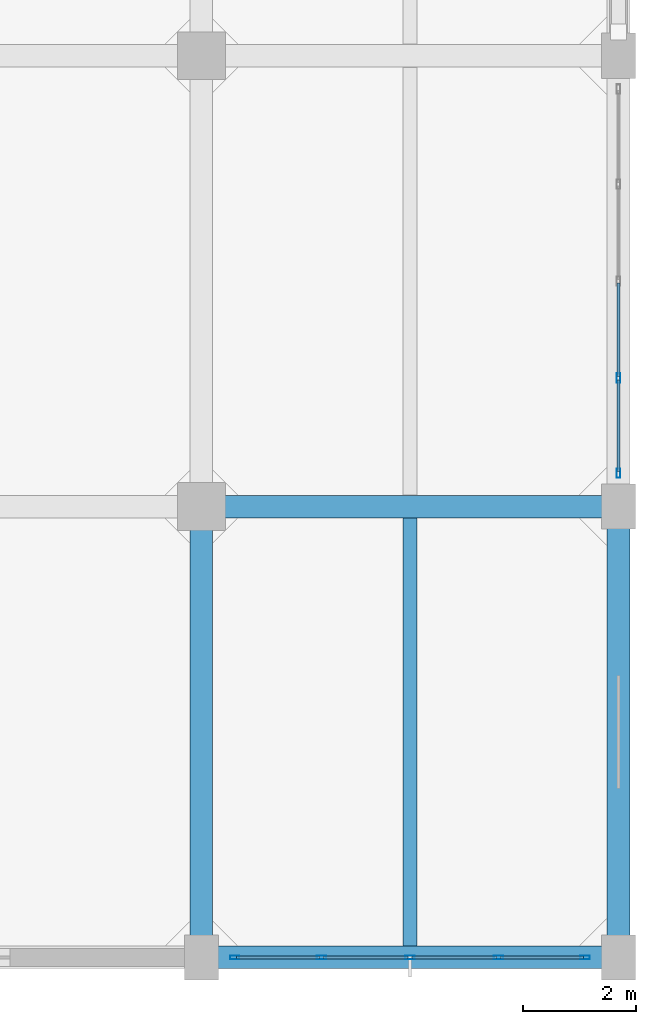
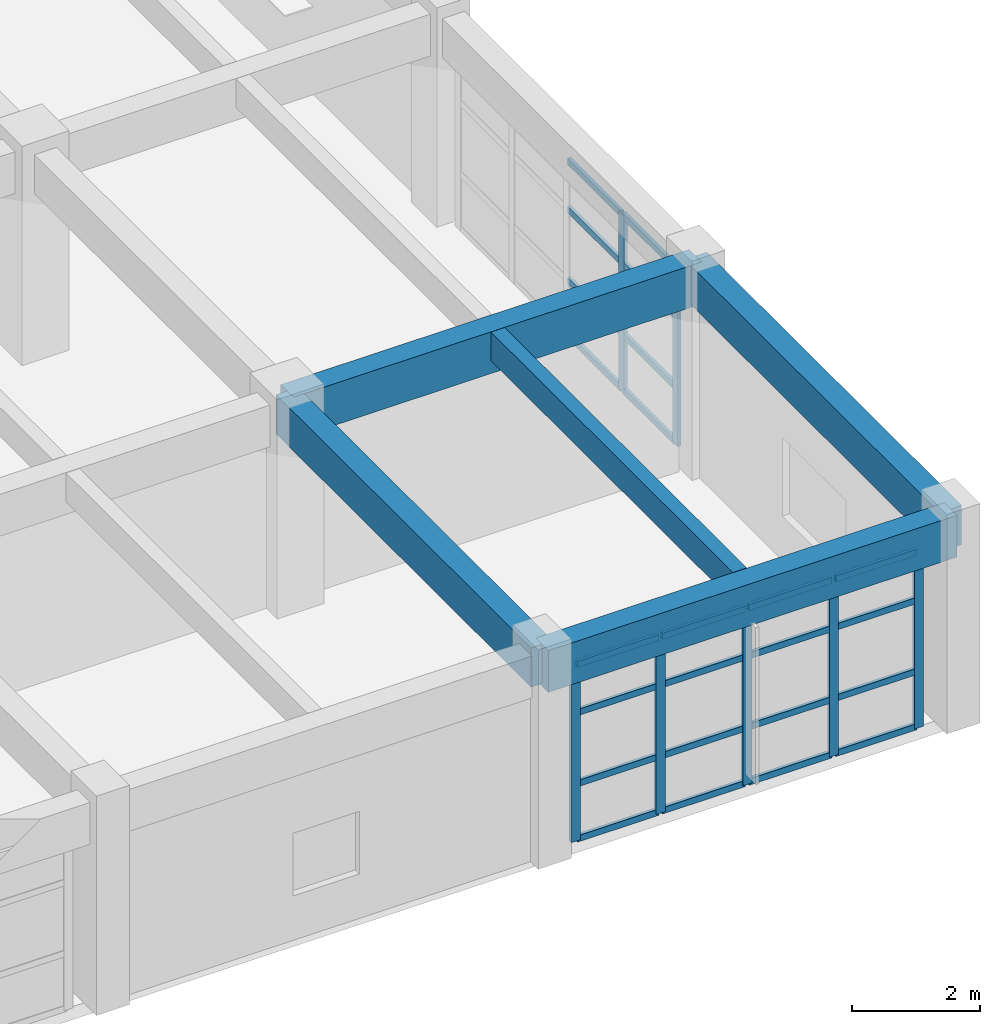
# One storey, part 10 of 30: 31 members, 5 beams, 2 elements without a shape of their own.
"""IFC4 building model written with IfcOpenShell, lengths in metres."""

from ifc_helpers import new_model, si_unit, direction, frame, origin, origin_2d, place, context, subcontext, project, spatial, rectangle, hollow_rectangle, extrude, material, layer, layer_set, material_profile, profile_set, type_object, element, aggregate, save


model = new_model("IFC4")

# Units and contexts
model_context = context("Model", 3, precision=1e-05, world=origin(), true_north=direction((0.0, 1.0)))
body_context = subcontext(model_context, "Body", "Model", "MODEL_VIEW")
ifc_project = project(units=[si_unit("LENGTHUNIT", "METRE"), si_unit("AREAUNIT", "SQUARE_METRE"), si_unit("VOLUMEUNIT", "CUBIC_METRE"), si_unit("PLANEANGLEUNIT", "RADIAN"), si_unit("MASSUNIT", "GRAM", prefix="KILO")], contexts=[model_context])

# Site, building, storey
site_placement = place(None, origin())
site = spatial("IfcSite", under=ifc_project, at=site_placement, CompositionType="ELEMENT")
building_placement = place(site_placement, origin())
building = spatial("IfcBuilding", under=site, at=building_placement, Name="Canggui Botanical Conservatory", CompositionType="ELEMENT")
storey_placement = place(building_placement, frame((0.0, 0.0, 19.199951171875)))
storey = spatial("IfcBuildingStorey", under=building, at=storey_placement, Name="L05", CompositionType="ELEMENT", Elevation=19.199951171875)

# Beams
ifc_material_1 = material(Name="Concrete C35", Category="concrete")
ifc_material_profile_1 = material_profile(ifc_material_1, rectangle(XDim=0.25, YDim=0.550048828125, at=origin_2d()), Name="RB 250x550")
ifc_profile_set_1 = profile_set([ifc_material_profile_1], Name="Concrete C35")
beam_type_1 = type_object("IfcBeamType", Name="BM-JST03", PredefinedType="JOIST", material=ifc_profile_set_1)
beam_placement = place(storey_placement, frame((173.699951171875, 26.205078125, 3.68505859375), z_axis=(0.0, 1.0, 0.0), x_axis=(-1.0, 0.0, 0.0)))
element("IfcBeam", 1, at=beam_placement, inside=storey, type_object=beam_type_1, Name="Secondary Floor Joist L05-5-1", PredefinedType="JOIST", context=body_context, shape_type="SweptSolid", body=[
    extrude(rectangle(XDim=0.25, YDim=0.550048828125, at=origin_2d()), origin(), (0.0, 0.0, 1.0), 7.58984375),
])
ifc_material_profile_2 = material_profile(ifc_material_1, rectangle(XDim=0.39990234375, YDim=0.800048828125, at=origin_2d()), Name="RB 400x800")
ifc_profile_set_2 = profile_set([ifc_material_profile_2], Name="Concrete C35")
beam_type_2 = type_object("IfcBeamType", Name="BM-KL09", PredefinedType="BEAM", material=ifc_profile_set_2)
for number, where, z_axis, x_axis, name in (
    (2, (170.0, 26.0, 3.56005859375), (1.0, 0.0, 0.0), (0.0, 1.0, 0.0), "Frame Girder L05 Y26-5"),
    (3, (170.0, 34.0, 3.56005859375), (1.0, 0.0, 0.0), (0.0, 1.0, 0.0), "Frame Girder L05 Y34-5"),
):
    element("IfcBeam", number, at=place(storey_placement, frame(where, z_axis=z_axis, x_axis=x_axis)), inside=storey, type_object=beam_type_2, Name=name, PredefinedType="BEAM", context=body_context, shape_type="SweptSolid", body=[
        extrude(rectangle(XDim=0.39990234375, YDim=0.800048828125, at=origin_2d()), origin(), (0.0, 0.0, 1.0), 7.39990234375),
    ])
ifc_material_profile_3 = material_profile(ifc_material_1, rectangle(XDim=0.39990234375, YDim=0.75, at=origin_2d()), Name="RB 400x750")
ifc_profile_set_3 = profile_set([ifc_material_profile_3], Name="Concrete C35")
beam_type_3 = type_object("IfcBeamType", Name="BM-KL10", PredefinedType="BEAM", material=ifc_profile_set_3)
for number, where, z_axis, x_axis, name in (
    (4, (170.0, 26.0, 3.5849609375), (0.0, 1.0, 0.0), (-1.0, 0.0, 0.0), "Frame Girder L05 X170-1"),
    (5, (177.39990234375, 26.0, 3.5849609375), (0.0, 1.0, 0.0), (-1.0, 0.0, 0.0), "Frame Girder L05 X178-1"),
):
    element("IfcBeam", number, at=place(storey_placement, frame(where, z_axis=z_axis, x_axis=x_axis)), inside=storey, type_object=beam_type_3, Name=name, PredefinedType="BEAM", context=body_context, shape_type="SweptSolid", body=[
        extrude(rectangle(XDim=0.39990234375, YDim=0.75, at=origin_2d()), origin(), (0.0, 0.0, 1.0), 8.0),
    ])

# Curtain wall, members
ifc_material_2 = material(Name="Thermally Broken Aluminium", Category="aluminium")
ifc_layer = layer(ifc_material_2, 0.1650390625, Name="Thermally Broken Aluminium", Category="aluminium")
ifc_layer_set = layer_set([ifc_layer], Name="Thermally Broken Aluminium")
curtain_wall_type = type_object("IfcCurtainWallType", Name="CW-UNIT-B", PredefinedType="USERDEFINED", material=ifc_layer_set)
curtain_wall_1_placement = place(storey_placement, origin())
curtain_wall_1 = element("IfcCurtainWall", 6, at=curtain_wall_1_placement, inside=storey, type_object=curtain_wall_type, Name="Facade Curtain Wall CW-TWR-L05-01", ObjectType="UNITISED CURTAIN WALL", PredefinedType="USERDEFINED")
ifc_material_profile_4 = material_profile(ifc_material_2, hollow_rectangle(XDim=0.06494140625, YDim=0.1650390625, WallThickness=0.00390625, at=origin_2d()), Name="CWM 65x165x4")
ifc_profile_set_4 = profile_set([ifc_material_profile_4], Name="Thermally Broken Aluminium")
member_type_1 = type_object("IfcMemberType", Name="CWM-02", PredefinedType="MULLION", material=ifc_profile_set_4)
member_1_placement = place(storey_placement, frame((176.8076171875, 26.0, 0.0), z_axis=(0.0, 0.0, 1.0), x_axis=(0.0, -1.0, 0.0)))
member_1 = element("IfcMember", 7, at=member_1_placement, type_object=member_type_1, Name="CW-02 mullion 1", PredefinedType="MULLION", context=body_context, shape_type="SweptSolid", body=[
    extrude(hollow_rectangle(XDim=0.06494140625, YDim=0.1650390625, WallThickness=0.00390625, at=origin_2d()), origin(), (0.0, 0.0, 1.0), 3.400146484375),
])
member_2_placement = place(storey_placement, frame((175.27001953125, 26.0, 0.0), z_axis=(0.0, 0.0, 1.0), x_axis=(0.0, -1.0, 0.0)))
member_2 = element("IfcMember", 8, at=member_2_placement, type_object=member_type_1, Name="CW-02 mullion 2", PredefinedType="MULLION", context=body_context, shape_type="SweptSolid", body=[
    extrude(hollow_rectangle(XDim=0.06494140625, YDim=0.1650390625, WallThickness=0.00390625, at=origin_2d()), origin(), (0.0, 0.0, 1.0), 3.400146484375),
])
member_3_placement = place(storey_placement, frame((173.699951171875, 26.0, 0.0), z_axis=(0.0, 0.0, 1.0), x_axis=(0.0, -1.0, 0.0)))
member_3 = element("IfcMember", 9, at=member_3_placement, type_object=member_type_1, Name="CW-02 mullion 3", PredefinedType="MULLION", context=body_context, shape_type="SweptSolid", body=[
    extrude(hollow_rectangle(XDim=0.06494140625, YDim=0.1650390625, WallThickness=0.00390625, at=origin_2d()), origin(), (0.0, 0.0, 1.0), 3.400146484375),
])
member_4_placement = place(storey_placement, frame((172.1298828125, 26.0, 0.0), z_axis=(0.0, 0.0, 1.0), x_axis=(0.0, -1.0, 0.0)))
member_4 = element("IfcMember", 10, at=member_4_placement, type_object=member_type_1, Name="CW-02 mullion 4", PredefinedType="MULLION", context=body_context, shape_type="SweptSolid", body=[
    extrude(hollow_rectangle(XDim=0.06494140625, YDim=0.1650390625, WallThickness=0.00390625, at=origin_2d()), origin(), (0.0, 0.0, 1.0), 3.400146484375),
])
member_5_placement = place(storey_placement, frame((170.592529296875, 26.0, 0.0), z_axis=(0.0, 0.0, 1.0), x_axis=(0.0, -1.0, 0.0)))
member_5 = element("IfcMember", 11, at=member_5_placement, type_object=member_type_1, Name="CW-02 mullion 5", PredefinedType="MULLION", context=body_context, shape_type="SweptSolid", body=[
    extrude(hollow_rectangle(XDim=0.06494140625, YDim=0.1650390625, WallThickness=0.00390625, at=origin_2d()), origin(), (0.0, 0.0, 1.0), 3.400146484375),
])

curtain_wall_2_placement = place(storey_placement, origin())
curtain_wall_2 = element("IfcCurtainWall", 12, at=curtain_wall_2_placement, inside=storey, type_object=curtain_wall_type, Name="Facade Curtain Wall CW-TWR-L05-21", ObjectType="UNITISED CURTAIN WALL", PredefinedType="USERDEFINED")
member_6_placement = place(storey_placement, frame((177.39990234375, 36.280029296875, 0.0), z_axis=(0.0, 0.0, 1.0), x_axis=(1.0, 0.0, 0.0)))
member_6 = element("IfcMember", 13, at=member_6_placement, type_object=member_type_1, Name="CW-02 mullion 4", PredefinedType="MULLION", context=body_context, shape_type="SweptSolid", body=[
    extrude(hollow_rectangle(XDim=0.06494140625, YDim=0.1650390625, WallThickness=0.00390625, at=origin_2d()), origin(), (0.0, 0.0, 1.0), 3.400146484375),
])
member_7_placement = place(storey_placement, frame((177.39990234375, 34.592529296875, 0.0), z_axis=(0.0, 0.0, 1.0), x_axis=(1.0, 0.0, 0.0)))
member_7 = element("IfcMember", 14, at=member_7_placement, type_object=member_type_1, Name="CW-02 mullion 5", PredefinedType="MULLION", context=body_context, shape_type="SweptSolid", body=[
    extrude(hollow_rectangle(XDim=0.06494140625, YDim=0.1650390625, WallThickness=0.00390625, at=origin_2d()), origin(), (0.0, 0.0, 1.0), 3.400146484375),
])

# Member
ifc_material_profile_5 = material_profile(ifc_material_2, hollow_rectangle(XDim=0.06005859375, YDim=0.1201171875, WallThickness=0.00341796875, at=origin_2d()), Name="CWT 60x120x3.5")
ifc_profile_set_5 = profile_set([ifc_material_profile_5], Name="Thermally Broken Aluminium")
member_type_2 = type_object("IfcMemberType", Name="CWT-02", PredefinedType="USERDEFINED", material=ifc_profile_set_5)
member_8_placement = place(storey_placement, frame((176.77490234375, 26.0, 0.030029296875), z_axis=(-1.0, 0.0, 0.0), x_axis=(0.0, -1.0, 0.0)))
member_8 = element("IfcMember", 15, at=member_8_placement, type_object=member_type_2, Name="CW-02 transom 1.1", ObjectType="TRANSOM", PredefinedType="USERDEFINED", context=body_context, shape_type="SweptSolid", body=[
    extrude(hollow_rectangle(XDim=0.06005859375, YDim=0.1201171875, WallThickness=0.00341796875, at=origin_2d()), origin(), (0.0, 0.0, 1.0), 1.472412109375),
])

member_9_placement = place(storey_placement, frame((176.77490234375, 26.0, 1.088134765625), z_axis=(-1.0, 0.0, 0.0), x_axis=(0.0, -1.0, 0.0)))
member_9 = element("IfcMember", 16, at=member_9_placement, type_object=member_type_2, Name="CW-02 transom 1.2", ObjectType="TRANSOM", PredefinedType="USERDEFINED", context=body_context, shape_type="SweptSolid", body=[
    extrude(hollow_rectangle(XDim=0.06005859375, YDim=0.1201171875, WallThickness=0.00341796875, at=origin_2d()), origin(), (0.0, 0.0, 1.0), 1.472412109375),
])

member_10_placement = place(storey_placement, frame((176.77490234375, 26.0, 2.447998046875), z_axis=(-1.0, 0.0, 0.0), x_axis=(0.0, -1.0, 0.0)))
member_10 = element("IfcMember", 17, at=member_10_placement, type_object=member_type_2, Name="CW-02 transom 1.3", ObjectType="TRANSOM", PredefinedType="USERDEFINED", context=body_context, shape_type="SweptSolid", body=[
    extrude(hollow_rectangle(XDim=0.06005859375, YDim=0.1201171875, WallThickness=0.00341796875, at=origin_2d()), origin(), (0.0, 0.0, 1.0), 1.472412109375),
])

member_11_placement = place(storey_placement, frame((176.77490234375, 26.0, 3.3701171875), z_axis=(-1.0, 0.0, 0.0), x_axis=(0.0, -1.0, 0.0)))
member_11 = element("IfcMember", 18, at=member_11_placement, type_object=member_type_2, Name="CW-02 transom 1.4", ObjectType="TRANSOM", PredefinedType="USERDEFINED", context=body_context, shape_type="SweptSolid", body=[
    extrude(hollow_rectangle(XDim=0.06005859375, YDim=0.1201171875, WallThickness=0.00341796875, at=origin_2d()), origin(), (0.0, 0.0, 1.0), 1.472412109375),
])

member_12_placement = place(storey_placement, frame((175.237548828125, 26.0, 0.030029296875), z_axis=(-1.0, 0.0, 0.0), x_axis=(0.0, -1.0, 0.0)))
member_12 = element("IfcMember", 19, at=member_12_placement, type_object=member_type_2, Name="CW-02 transom 2.1", ObjectType="TRANSOM", PredefinedType="USERDEFINED", context=body_context, shape_type="SweptSolid", body=[
    extrude(hollow_rectangle(XDim=0.06005859375, YDim=0.1201171875, WallThickness=0.00341796875, at=origin_2d()), origin(), (0.0, 0.0, 1.0), 1.505126953125),
])

member_13_placement = place(storey_placement, frame((175.237548828125, 26.0, 1.088134765625), z_axis=(-1.0, 0.0, 0.0), x_axis=(0.0, -1.0, 0.0)))
member_13 = element("IfcMember", 20, at=member_13_placement, type_object=member_type_2, Name="CW-02 transom 2.2", ObjectType="TRANSOM", PredefinedType="USERDEFINED", context=body_context, shape_type="SweptSolid", body=[
    extrude(hollow_rectangle(XDim=0.06005859375, YDim=0.1201171875, WallThickness=0.00341796875, at=origin_2d()), origin(), (0.0, 0.0, 1.0), 1.505126953125),
])

member_14_placement = place(storey_placement, frame((175.237548828125, 26.0, 2.447998046875), z_axis=(-1.0, 0.0, 0.0), x_axis=(0.0, -1.0, 0.0)))
member_14 = element("IfcMember", 21, at=member_14_placement, type_object=member_type_2, Name="CW-02 transom 2.3", ObjectType="TRANSOM", PredefinedType="USERDEFINED", context=body_context, shape_type="SweptSolid", body=[
    extrude(hollow_rectangle(XDim=0.06005859375, YDim=0.1201171875, WallThickness=0.00341796875, at=origin_2d()), origin(), (0.0, 0.0, 1.0), 1.505126953125),
])

member_15_placement = place(storey_placement, frame((175.237548828125, 26.0, 3.3701171875), z_axis=(-1.0, 0.0, 0.0), x_axis=(0.0, -1.0, 0.0)))
member_15 = element("IfcMember", 22, at=member_15_placement, type_object=member_type_2, Name="CW-02 transom 2.4", ObjectType="TRANSOM", PredefinedType="USERDEFINED", context=body_context, shape_type="SweptSolid", body=[
    extrude(hollow_rectangle(XDim=0.06005859375, YDim=0.1201171875, WallThickness=0.00341796875, at=origin_2d()), origin(), (0.0, 0.0, 1.0), 1.505126953125),
])

member_16_placement = place(storey_placement, frame((173.66748046875, 26.0, 0.030029296875), z_axis=(-1.0, 0.0, 0.0), x_axis=(0.0, -1.0, 0.0)))
member_16 = element("IfcMember", 23, at=member_16_placement, type_object=member_type_2, Name="CW-02 transom 3.1", ObjectType="TRANSOM", PredefinedType="USERDEFINED", context=body_context, shape_type="SweptSolid", body=[
    extrude(hollow_rectangle(XDim=0.06005859375, YDim=0.1201171875, WallThickness=0.00341796875, at=origin_2d()), origin(), (0.0, 0.0, 1.0), 1.5048828125),
])

member_17_placement = place(storey_placement, frame((173.66748046875, 26.0, 1.088134765625), z_axis=(-1.0, 0.0, 0.0), x_axis=(0.0, -1.0, 0.0)))
member_17 = element("IfcMember", 24, at=member_17_placement, type_object=member_type_2, Name="CW-02 transom 3.2", ObjectType="TRANSOM", PredefinedType="USERDEFINED", context=body_context, shape_type="SweptSolid", body=[
    extrude(hollow_rectangle(XDim=0.06005859375, YDim=0.1201171875, WallThickness=0.00341796875, at=origin_2d()), origin(), (0.0, 0.0, 1.0), 1.5048828125),
])

member_18_placement = place(storey_placement, frame((173.66748046875, 26.0, 2.447998046875), z_axis=(-1.0, 0.0, 0.0), x_axis=(0.0, -1.0, 0.0)))
member_18 = element("IfcMember", 25, at=member_18_placement, type_object=member_type_2, Name="CW-02 transom 3.3", ObjectType="TRANSOM", PredefinedType="USERDEFINED", context=body_context, shape_type="SweptSolid", body=[
    extrude(hollow_rectangle(XDim=0.06005859375, YDim=0.1201171875, WallThickness=0.00341796875, at=origin_2d()), origin(), (0.0, 0.0, 1.0), 1.5048828125),
])

member_19_placement = place(storey_placement, frame((173.66748046875, 26.0, 3.3701171875), z_axis=(-1.0, 0.0, 0.0), x_axis=(0.0, -1.0, 0.0)))
member_19 = element("IfcMember", 26, at=member_19_placement, type_object=member_type_2, Name="CW-02 transom 3.4", ObjectType="TRANSOM", PredefinedType="USERDEFINED", context=body_context, shape_type="SweptSolid", body=[
    extrude(hollow_rectangle(XDim=0.06005859375, YDim=0.1201171875, WallThickness=0.00341796875, at=origin_2d()), origin(), (0.0, 0.0, 1.0), 1.5048828125),
])

member_20_placement = place(storey_placement, frame((172.097412109375, 26.0, 0.030029296875), z_axis=(-1.0, 0.0, 0.0), x_axis=(0.0, -1.0, 0.0)))
member_20 = element("IfcMember", 27, at=member_20_placement, type_object=member_type_2, Name="CW-02 transom 4.1", ObjectType="TRANSOM", PredefinedType="USERDEFINED", context=body_context, shape_type="SweptSolid", body=[
    extrude(hollow_rectangle(XDim=0.06005859375, YDim=0.1201171875, WallThickness=0.00341796875, at=origin_2d()), origin(), (0.0, 0.0, 1.0), 1.472412109375),
])

member_21_placement = place(storey_placement, frame((172.097412109375, 26.0, 1.088134765625), z_axis=(-1.0, 0.0, 0.0), x_axis=(0.0, -1.0, 0.0)))
member_21 = element("IfcMember", 28, at=member_21_placement, type_object=member_type_2, Name="CW-02 transom 4.2", ObjectType="TRANSOM", PredefinedType="USERDEFINED", context=body_context, shape_type="SweptSolid", body=[
    extrude(hollow_rectangle(XDim=0.06005859375, YDim=0.1201171875, WallThickness=0.00341796875, at=origin_2d()), origin(), (0.0, 0.0, 1.0), 1.472412109375),
])

member_22_placement = place(storey_placement, frame((172.097412109375, 26.0, 2.447998046875), z_axis=(-1.0, 0.0, 0.0), x_axis=(0.0, -1.0, 0.0)))
member_22 = element("IfcMember", 29, at=member_22_placement, type_object=member_type_2, Name="CW-02 transom 4.3", ObjectType="TRANSOM", PredefinedType="USERDEFINED", context=body_context, shape_type="SweptSolid", body=[
    extrude(hollow_rectangle(XDim=0.06005859375, YDim=0.1201171875, WallThickness=0.00341796875, at=origin_2d()), origin(), (0.0, 0.0, 1.0), 1.472412109375),
])

member_23_placement = place(storey_placement, frame((172.097412109375, 26.0, 3.3701171875), z_axis=(-1.0, 0.0, 0.0), x_axis=(0.0, -1.0, 0.0)))
member_23 = element("IfcMember", 30, at=member_23_placement, type_object=member_type_2, Name="CW-02 transom 4.4", ObjectType="TRANSOM", PredefinedType="USERDEFINED", context=body_context, shape_type="SweptSolid", body=[
    extrude(hollow_rectangle(XDim=0.06005859375, YDim=0.1201171875, WallThickness=0.00341796875, at=origin_2d()), origin(), (0.0, 0.0, 1.0), 1.472412109375),
])

aggregate(curtain_wall_1, [member_1, member_2, member_3, member_4, member_5, member_8, member_9, member_10, member_11, member_12, member_13, member_14, member_15, member_16, member_17, member_18, member_19, member_20, member_21, member_22, member_23])

member_24_placement = place(storey_placement, frame((177.39990234375, 37.967529296875, 0.030029296875), z_axis=(0.0, -1.0, 0.0), x_axis=(1.0, 0.0, 0.0)))
member_24 = element("IfcMember", 31, at=member_24_placement, type_object=member_type_2, Name="CW-02 transom 3.1", ObjectType="TRANSOM", PredefinedType="USERDEFINED", context=body_context, shape_type="SweptSolid", body=[
    extrude(hollow_rectangle(XDim=0.06005859375, YDim=0.1201171875, WallThickness=0.00341796875, at=origin_2d()), origin(), (0.0, 0.0, 1.0), 1.655029296875),
])

member_25_placement = place(storey_placement, frame((177.39990234375, 37.967529296875, 1.088134765625), z_axis=(0.0, -1.0, 0.0), x_axis=(1.0, 0.0, 0.0)))
member_25 = element("IfcMember", 32, at=member_25_placement, type_object=member_type_2, Name="CW-02 transom 3.2", ObjectType="TRANSOM", PredefinedType="USERDEFINED", context=body_context, shape_type="SweptSolid", body=[
    extrude(hollow_rectangle(XDim=0.06005859375, YDim=0.1201171875, WallThickness=0.00341796875, at=origin_2d()), origin(), (0.0, 0.0, 1.0), 1.655029296875),
])

member_26_placement = place(storey_placement, frame((177.39990234375, 37.967529296875, 2.447998046875), z_axis=(0.0, -1.0, 0.0), x_axis=(1.0, 0.0, 0.0)))
member_26 = element("IfcMember", 33, at=member_26_placement, type_object=member_type_2, Name="CW-02 transom 3.3", ObjectType="TRANSOM", PredefinedType="USERDEFINED", context=body_context, shape_type="SweptSolid", body=[
    extrude(hollow_rectangle(XDim=0.06005859375, YDim=0.1201171875, WallThickness=0.00341796875, at=origin_2d()), origin(), (0.0, 0.0, 1.0), 1.655029296875),
])

member_27_placement = place(storey_placement, frame((177.39990234375, 37.967529296875, 3.3701171875), z_axis=(0.0, -1.0, 0.0), x_axis=(1.0, 0.0, 0.0)))
member_27 = element("IfcMember", 34, at=member_27_placement, type_object=member_type_2, Name="CW-02 transom 3.4", ObjectType="TRANSOM", PredefinedType="USERDEFINED", context=body_context, shape_type="SweptSolid", body=[
    extrude(hollow_rectangle(XDim=0.06005859375, YDim=0.1201171875, WallThickness=0.00341796875, at=origin_2d()), origin(), (0.0, 0.0, 1.0), 1.655029296875),
])

member_28_placement = place(storey_placement, frame((177.39990234375, 36.24755859375, 0.030029296875), z_axis=(0.0, -1.0, 0.0), x_axis=(1.0, 0.0, 0.0)))
member_28 = element("IfcMember", 35, at=member_28_placement, type_object=member_type_2, Name="CW-02 transom 4.1", ObjectType="TRANSOM", PredefinedType="USERDEFINED", context=body_context, shape_type="SweptSolid", body=[
    extrude(hollow_rectangle(XDim=0.06005859375, YDim=0.1201171875, WallThickness=0.00341796875, at=origin_2d()), origin(), (0.0, 0.0, 1.0), 1.62255859375),
])

member_29_placement = place(storey_placement, frame((177.39990234375, 36.24755859375, 1.088134765625), z_axis=(0.0, -1.0, 0.0), x_axis=(1.0, 0.0, 0.0)))
member_29 = element("IfcMember", 36, at=member_29_placement, type_object=member_type_2, Name="CW-02 transom 4.2", ObjectType="TRANSOM", PredefinedType="USERDEFINED", context=body_context, shape_type="SweptSolid", body=[
    extrude(hollow_rectangle(XDim=0.06005859375, YDim=0.1201171875, WallThickness=0.00341796875, at=origin_2d()), origin(), (0.0, 0.0, 1.0), 1.62255859375),
])

member_30_placement = place(storey_placement, frame((177.39990234375, 36.24755859375, 2.447998046875), z_axis=(0.0, -1.0, 0.0), x_axis=(1.0, 0.0, 0.0)))
member_30 = element("IfcMember", 37, at=member_30_placement, type_object=member_type_2, Name="CW-02 transom 4.3", ObjectType="TRANSOM", PredefinedType="USERDEFINED", context=body_context, shape_type="SweptSolid", body=[
    extrude(hollow_rectangle(XDim=0.06005859375, YDim=0.1201171875, WallThickness=0.00341796875, at=origin_2d()), origin(), (0.0, 0.0, 1.0), 1.62255859375),
])

member_31_placement = place(storey_placement, frame((177.39990234375, 36.24755859375, 3.3701171875), z_axis=(0.0, -1.0, 0.0), x_axis=(1.0, 0.0, 0.0)))
member_31 = element("IfcMember", 38, at=member_31_placement, type_object=member_type_2, Name="CW-02 transom 4.4", ObjectType="TRANSOM", PredefinedType="USERDEFINED", context=body_context, shape_type="SweptSolid", body=[
    extrude(hollow_rectangle(XDim=0.06005859375, YDim=0.1201171875, WallThickness=0.00341796875, at=origin_2d()), origin(), (0.0, 0.0, 1.0), 1.62255859375),
])

aggregate(curtain_wall_2, [member_6, member_7, member_24, member_25, member_26, member_27, member_28, member_29, member_30, member_31])

save(model, "model.ifc")
